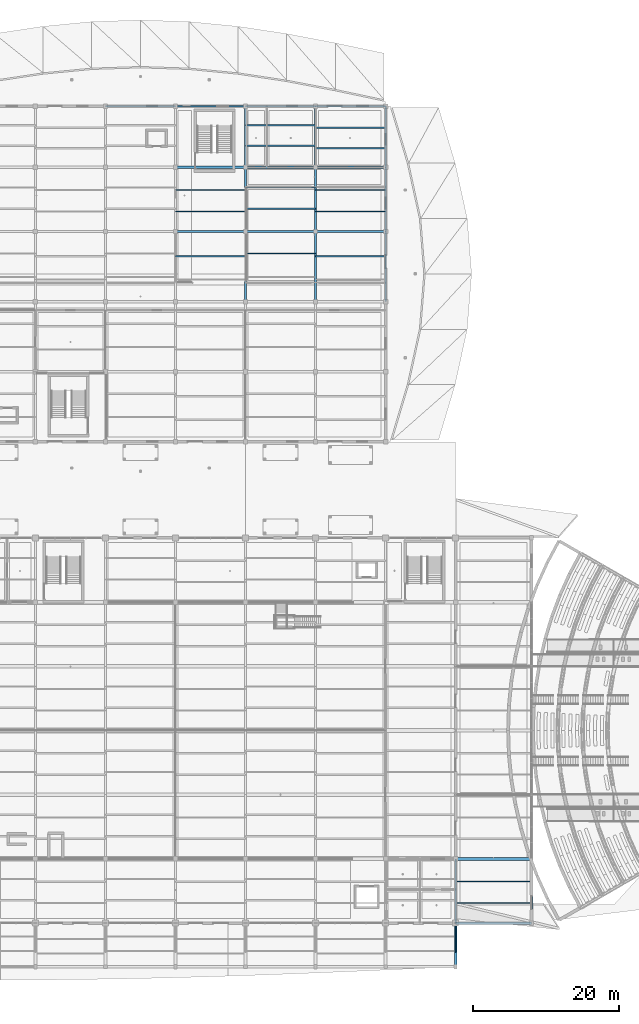
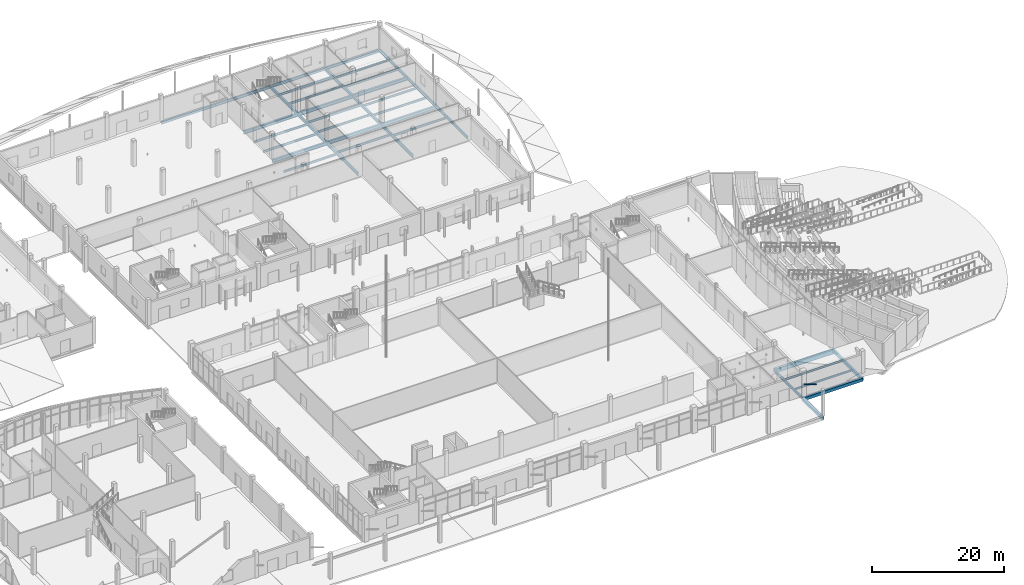
# One storey, part 57 of 116: 39 beams, 1 member.
"""IFC4 building model written with IfcOpenShell, lengths in metres."""

from ifc_helpers import new_model, si_unit, direction, frame, origin, origin_2d, place, context, subcontext, project, spatial, rectangle, hollow_circle, i_section, extrude, material, material_profile, profile_set, type_object, element, save


model = new_model("IFC4")

# Units and contexts
model_context = context("Model", 3, precision=1e-05, world=origin(), true_north=direction((0.0, 1.0)))
body_context = subcontext(model_context, "Body", "Model", "MODEL_VIEW")
ifc_project = project(units=[si_unit("LENGTHUNIT", "METRE"), si_unit("AREAUNIT", "SQUARE_METRE"), si_unit("VOLUMEUNIT", "CUBIC_METRE"), si_unit("PLANEANGLEUNIT", "RADIAN"), si_unit("MASSUNIT", "GRAM", prefix="KILO")], contexts=[model_context])

# Site, building, storey
site_placement = place(None, origin())
site = spatial("IfcSite", under=ifc_project, at=site_placement, CompositionType="ELEMENT")
building_placement = place(site_placement, origin())
building = spatial("IfcBuilding", under=site, at=building_placement, Name="Chalmorin Arch Market", CompositionType="ELEMENT")
storey_placement = place(building_placement, origin())
storey = spatial("IfcBuildingStorey", under=building, at=storey_placement, Name="L00", CompositionType="ELEMENT", Elevation=0.0)

# Beam
ifc_material_1 = material(Name="Concrete C40/50", Category="concrete")
ifc_material_profile_1 = material_profile(ifc_material_1, rectangle(XDim=0.449951171875, YDim=0.75, at=origin_2d()), Name="RC450X750")
ifc_profile_set_1 = profile_set([ifc_material_profile_1], Name="Concrete C40/50")
beam_type_1 = type_object("IfcBeamType", Name="BasementConcreteGirder-450x750", PredefinedType="BEAM", material=ifc_profile_set_1)
beam_1_placement = place(storey_placement, frame((124.800048828125, 14.800048828125, -0.72705078125), z_axis=(1.0, 0.0, 0.0), x_axis=(0.0, 1.0, 0.0)))
element("IfcBeam", 1, at=beam_1_placement, inside=storey, type_object=beam_type_1, Name="BG-RC2-0522", PredefinedType="BEAM", context=body_context, shape_type="SweptSolid", body=[
    extrude(rectangle(XDim=0.449951171875, YDim=0.75, at=origin_2d()), origin(), (0.0, 0.0, 1.0), 10.39990234375),
])

# Member
ifc_material_2 = material(Name="Steel A500 Grade C", Category="steel")
ifc_material_profile_2 = material_profile(ifc_material_2, hollow_circle(Radius=0.109619140625, WallThickness=0.00830078125, at=origin_2d()), Name="CHS219X8")
ifc_profile_set_2 = profile_set([ifc_material_profile_2], Name="Steel A500 Grade C")
member_type = type_object("IfcMemberType", Name="CanopyRakingStrut-CHS219", PredefinedType="STRUT", material=ifc_profile_set_2)
member_placement = place(storey_placement, frame((124.800048828125, 6.0, 2.10009765625), z_axis=(0.0, -0.852698951307, 0.522402621012), x_axis=(1.0, 0.0, 0.0)))
element("IfcMember", 2, at=member_placement, inside=storey, type_object=member_type, Name="ST-CH219-0014", PredefinedType="STRUT", context=body_context, shape_type="SweptSolid", body=[
    extrude(hollow_circle(Radius=0.109619140625, WallThickness=0.00830078125, at=origin_2d()), origin(), (0.0, 0.0, 1.0), 4.63232421875),
])

# Beams
ifc_material_3 = material(Name="Steel A992 Grade 50", Category="steel")
ifc_material_profile_3 = material_profile(ifc_material_3, i_section(OverallWidth=0.208984375, OverallDepth=0.532958984375, WebThickness=0.01025390625, FlangeThickness=0.015625, FilletRadius=0.02197265625, at=origin_2d()), Name="W21X62")
ifc_profile_set_3 = profile_set([ifc_material_profile_3], Name="Steel A992 Grade 50")
beam_type_2 = type_object("IfcBeamType", Name="PerimeterSpandrelBeam-W21X62", PredefinedType="SPANDREL", material=ifc_profile_set_3)
beam_2_placement = place(storey_placement, frame((124.800048828125, 6.0, -0.618408203125), z_axis=(0.0, 1.0, 0.0), x_axis=(-1.0, 0.0, 0.0)))
element("IfcBeam", 3, at=beam_2_placement, inside=storey, type_object=beam_type_2, Name="SP-W21-0100", PredefinedType="SPANDREL", context=body_context, shape_type="SweptSolid", body=[
    extrude(i_section(OverallWidth=0.208984375, OverallDepth=0.532958984375, WebThickness=0.01025390625, FlangeThickness=0.015625, FilletRadius=0.02197265625, at=origin_2d()), origin(), (0.0, 0.0, 1.0), 8.800048828125),
])
beam_3_placement = place(storey_placement, frame((76.800048828125, 118.0, -0.548583984375), z_axis=(1.0, 0.0, 0.0), x_axis=(0.0, 1.0, 0.0)))
element("IfcBeam", 4, at=beam_3_placement, inside=storey, type_object=beam_type_2, Name="SP-W21-0422", PredefinedType="SPANDREL", context=body_context, shape_type="SweptSolid", body=[
    extrude(i_section(OverallWidth=0.208984375, OverallDepth=0.532958984375, WebThickness=0.01025390625, FlangeThickness=0.015625, FilletRadius=0.02197265625, at=origin_2d()), origin(), (0.0, 0.0, 1.0), 9.599853515625),
])
for number, where, z_axis, x_axis, name in (
    (5, (86.39990234375, 118.0, -0.548583984375), (1.0, 0.0, 0.0), (0.0, 1.0, 0.0), "SP-W21-0433"),
    (6, (96.0, 118.0, -0.548583984375), (1.0, 0.0, 0.0), (0.0, 1.0, 0.0), "SP-W21-0444"),
    (7, (115.199951171875, 91.199951171875, -0.548583984375), (0.0, 1.0, 0.0), (-1.0, 0.0, 0.0), "SP-W21-0452"),
):
    element("IfcBeam", number, at=place(storey_placement, frame(where, z_axis=z_axis, x_axis=x_axis)), inside=storey, type_object=beam_type_2, Name=name, PredefinedType="SPANDREL", context=body_context, shape_type="SweptSolid", body=[
        extrude(i_section(OverallWidth=0.208984375, OverallDepth=0.532958984375, WebThickness=0.01025390625, FlangeThickness=0.015625, FilletRadius=0.02197265625, at=origin_2d()), origin(), (0.0, 0.0, 1.0), 9.60009765625),
    ])
beam_4_placement = place(storey_placement, frame((115.199951171875, 100.800048828125, -0.548583984375), z_axis=(0.0, 1.0, 0.0), x_axis=(-1.0, 0.0, 0.0)))
element("IfcBeam", 8, at=beam_4_placement, inside=storey, type_object=beam_type_2, Name="SP-W21-0454", PredefinedType="SPANDREL", context=body_context, shape_type="SweptSolid", body=[
    extrude(i_section(OverallWidth=0.208984375, OverallDepth=0.532958984375, WebThickness=0.01025390625, FlangeThickness=0.015625, FilletRadius=0.02197265625, at=origin_2d()), origin(), (0.0, 0.0, 1.0), 8.800048828125),
])
beam_5_placement = place(storey_placement, frame((105.60009765625, 118.0, -0.548583984375), z_axis=(1.0, 0.0, 0.0), x_axis=(0.0, 1.0, 0.0)))
element("IfcBeam", 9, at=beam_5_placement, inside=storey, type_object=beam_type_2, Name="SP-W21-0455", PredefinedType="SPANDREL", context=body_context, shape_type="SweptSolid", body=[
    extrude(i_section(OverallWidth=0.208984375, OverallDepth=0.532958984375, WebThickness=0.01025390625, FlangeThickness=0.015625, FilletRadius=0.02197265625, at=origin_2d()), origin(), (0.0, 0.0, 1.0), 9.599853515625),
])
beam_6_placement = place(storey_placement, frame((115.199951171875, 109.60009765625, -0.548583984375), z_axis=(0.0, 1.0, 0.0), x_axis=(-1.0, 0.0, 0.0)))
element("IfcBeam", 10, at=beam_6_placement, inside=storey, type_object=beam_type_2, Name="SP-W21-0456", PredefinedType="SPANDREL", context=body_context, shape_type="SweptSolid", body=[
    extrude(i_section(OverallWidth=0.208984375, OverallDepth=0.532958984375, WebThickness=0.01025390625, FlangeThickness=0.015625, FilletRadius=0.02197265625, at=origin_2d()), origin(), (0.0, 0.0, 1.0), 8.39990234375),
])
ifc_material_profile_4 = material_profile(ifc_material_3, i_section(OverallWidth=0.323974609375, OverallDepth=0.611083984375, WebThickness=0.0126953125, FlangeThickness=0.01904296875, FilletRadius=0.02392578125, at=origin_2d()), Name="W24X104")
ifc_profile_set_4 = profile_set([ifc_material_profile_4], Name="Steel A992 Grade 50")
beam_type_3 = type_object("IfcBeamType", Name="PrimarySteelGirder-W24X104", PredefinedType="BEAM", material=ifc_profile_set_4)
for number, where, z_axis, x_axis, name in (
    (11, (86.39990234375, 100.800048828125, -0.58740234375), (1.0, 0.0, 0.0), (0.0, 1.0, 0.0), "BG-W24A-0429"),
    (12, (86.39990234375, 109.60009765625, -0.58740234375), (1.0, 0.0, 0.0), (0.0, 1.0, 0.0), "BG-W24A-0431"),
    (13, (96.0, 100.800048828125, -0.58740234375), (1.0, 0.0, 0.0), (0.0, 1.0, 0.0), "BG-W24A-0440"),
    (14, (96.0, 109.60009765625, -0.58740234375), (1.0, 0.0, 0.0), (0.0, 1.0, 0.0), "BG-W24A-0442"),
):
    element("IfcBeam", number, at=place(storey_placement, frame(where, z_axis=z_axis, x_axis=x_axis)), inside=storey, type_object=beam_type_3, Name=name, PredefinedType="BEAM", context=body_context, shape_type="SweptSolid", body=[
        extrude(i_section(OverallWidth=0.323974609375, OverallDepth=0.611083984375, WebThickness=0.0126953125, FlangeThickness=0.01904296875, FilletRadius=0.02392578125, at=origin_2d()), origin(), (0.0, 0.0, 1.0), 9.60009765625),
    ])
for number, where, z_axis, x_axis, name in (
    (15, (105.60009765625, 100.800048828125, -0.58740234375), (1.0, 0.0, 0.0), (0.0, 1.0, 0.0), "BG-W24A-0451"),
    (16, (105.60009765625, 109.60009765625, -0.58740234375), (1.0, 0.0, 0.0), (0.0, 1.0, 0.0), "BG-W24A-0453"),
):
    element("IfcBeam", number, at=place(storey_placement, frame(where, z_axis=z_axis, x_axis=x_axis)), inside=storey, type_object=beam_type_3, Name=name, PredefinedType="BEAM", context=body_context, shape_type="SweptSolid", body=[
        extrude(i_section(OverallWidth=0.323974609375, OverallDepth=0.611083984375, WebThickness=0.0126953125, FlangeThickness=0.01904296875, FilletRadius=0.02392578125, at=origin_2d()), origin(), (0.0, 0.0, 1.0), 9.599853515625),
    ])
ifc_material_profile_5 = material_profile(ifc_material_3, i_section(OverallWidth=0.22802734375, OverallDepth=0.60791015625, WebThickness=0.01123046875, FlangeThickness=0.017333984375, FilletRadius=0.02392578125, at=origin_2d()), Name="W24X76")
ifc_profile_set_5 = profile_set([ifc_material_profile_5], Name="Steel A992 Grade 50")
beam_type_4 = type_object("IfcBeamType", Name="PrimarySteelGirder-W24X76", PredefinedType="BEAM", material=ifc_profile_set_5)
beam_7_placement = place(storey_placement, frame((96.0, 91.199951171875, -0.5859375), z_axis=(0.0, 1.0, 0.0), x_axis=(-1.0, 0.0, 0.0)))
element("IfcBeam", 17, at=beam_7_placement, inside=storey, type_object=beam_type_4, Name="BG-W24B-0430", PredefinedType="BEAM", context=body_context, shape_type="SweptSolid", body=[
    extrude(i_section(OverallWidth=0.22802734375, OverallDepth=0.60791015625, WebThickness=0.01123046875, FlangeThickness=0.017333984375, FilletRadius=0.02392578125, at=origin_2d()), origin(), (0.0, 0.0, 1.0), 9.60009765625),
])
beam_8_placement = place(storey_placement, frame((96.0, 100.800048828125, -0.5859375), z_axis=(0.0, 1.0, 0.0), x_axis=(-1.0, 0.0, 0.0)))
element("IfcBeam", 18, at=beam_8_placement, inside=storey, type_object=beam_type_4, Name="BG-W24B-0432", PredefinedType="BEAM", context=body_context, shape_type="SweptSolid", body=[
    extrude(i_section(OverallWidth=0.22802734375, OverallDepth=0.60791015625, WebThickness=0.01123046875, FlangeThickness=0.017333984375, FilletRadius=0.02392578125, at=origin_2d()), origin(), (0.0, 0.0, 1.0), 8.800048828125),
])
beam_9_placement = place(storey_placement, frame((96.0, 109.60009765625, -0.5859375), z_axis=(0.0, 1.0, 0.0), x_axis=(-1.0, 0.0, 0.0)))
element("IfcBeam", 19, at=beam_9_placement, inside=storey, type_object=beam_type_4, Name="BG-W24B-0434", PredefinedType="BEAM", context=body_context, shape_type="SweptSolid", body=[
    extrude(i_section(OverallWidth=0.22802734375, OverallDepth=0.60791015625, WebThickness=0.01123046875, FlangeThickness=0.017333984375, FilletRadius=0.02392578125, at=origin_2d()), origin(), (0.0, 0.0, 1.0), 8.39990234375),
])
beam_10_placement = place(storey_placement, frame((105.60009765625, 91.199951171875, -0.5859375), z_axis=(0.0, 1.0, 0.0), x_axis=(-1.0, 0.0, 0.0)))
element("IfcBeam", 20, at=beam_10_placement, inside=storey, type_object=beam_type_4, Name="BG-W24B-0441", PredefinedType="BEAM", context=body_context, shape_type="SweptSolid", body=[
    extrude(i_section(OverallWidth=0.22802734375, OverallDepth=0.60791015625, WebThickness=0.01123046875, FlangeThickness=0.017333984375, FilletRadius=0.02392578125, at=origin_2d()), origin(), (0.0, 0.0, 1.0), 9.60009765625),
])
beam_11_placement = place(storey_placement, frame((105.60009765625, 100.800048828125, -0.5859375), z_axis=(0.0, 1.0, 0.0), x_axis=(-1.0, 0.0, 0.0)))
element("IfcBeam", 21, at=beam_11_placement, inside=storey, type_object=beam_type_4, Name="BG-W24B-0443", PredefinedType="BEAM", context=body_context, shape_type="SweptSolid", body=[
    extrude(i_section(OverallWidth=0.22802734375, OverallDepth=0.60791015625, WebThickness=0.01123046875, FlangeThickness=0.017333984375, FilletRadius=0.02392578125, at=origin_2d()), origin(), (0.0, 0.0, 1.0), 8.800048828125),
])
beam_12_placement = place(storey_placement, frame((105.60009765625, 109.60009765625, -0.5859375), z_axis=(0.0, 1.0, 0.0), x_axis=(-1.0, 0.0, 0.0)))
element("IfcBeam", 22, at=beam_12_placement, inside=storey, type_object=beam_type_4, Name="BG-W24B-0445", PredefinedType="BEAM", context=body_context, shape_type="SweptSolid", body=[
    extrude(i_section(OverallWidth=0.22802734375, OverallDepth=0.60791015625, WebThickness=0.01123046875, FlangeThickness=0.017333984375, FilletRadius=0.02392578125, at=origin_2d()), origin(), (0.0, 0.0, 1.0), 8.39990234375),
])
ifc_material_profile_6 = material_profile(ifc_material_3, i_section(OverallWidth=0.1708984375, OverallDepth=0.35107421875, WebThickness=0.0068359375, FlangeThickness=0.009765625, FilletRadius=0.014892578125, at=origin_2d()), Name="W14X30")
ifc_profile_set_6 = profile_set([ifc_material_profile_6], Name="Steel A992 Grade 50")
beam_type_5 = type_object("IfcBeamType", Name="SecondaryFloorJoist-W14X30", PredefinedType="JOIST", material=ifc_profile_set_6)
for number, where, z_axis, x_axis, name in (
    (23, (124.800048828125, 8.75341796875, -0.527587890625), (1.0, 0.0, 0.0), (0.0, 1.0, 0.0), "BJ-W14-0534"),
    (24, (124.800048828125, 11.686767578125, -0.527587890625), (1.0, 0.0, 0.0), (0.0, 1.0, 0.0), "BJ-W14-0535"),
):
    element("IfcBeam", number, at=place(storey_placement, frame(where, z_axis=z_axis, x_axis=x_axis)), inside=storey, type_object=beam_type_5, Name=name, PredefinedType="JOIST", context=body_context, shape_type="SweptSolid", body=[
        extrude(i_section(OverallWidth=0.1708984375, OverallDepth=0.35107421875, WebThickness=0.0068359375, FlangeThickness=0.009765625, FilletRadius=0.014892578125, at=origin_2d()), origin(), (0.0, 0.0, 1.0), 10.39990234375),
    ])
ifc_material_profile_7 = material_profile(ifc_material_3, i_section(OverallWidth=0.177978515625, OverallDepth=0.403076171875, WebThickness=0.007568359375, FlangeThickness=0.010986328125, FilletRadius=0.01806640625, at=origin_2d()), Name="W16X36")
ifc_profile_set_7 = profile_set([ifc_material_profile_7], Name="Steel A992 Grade 50")
beam_type_6 = type_object("IfcBeamType", Name="SecondaryFloorJoist-W16X36", PredefinedType="JOIST", material=ifc_profile_set_7)
for number, where, z_axis, x_axis, name in (
    (25, (86.39990234375, 97.419921875, -0.4833984375), (1.0, 0.0, 0.0), (0.0, 1.0, 0.0), "BJ-W16B-0498"),
    (26, (86.39990234375, 103.55322265625, -0.4833984375), (1.0, 0.0, 0.0), (0.0, 1.0, 0.0), "BJ-W16B-0499"),
    (27, (86.39990234375, 106.48681640625, -0.4833984375), (1.0, 0.0, 0.0), (0.0, 1.0, 0.0), "BJ-W16B-0500"),
    (28, (96.0, 97.780029296875, -0.4833984375), (1.0, 0.0, 0.0), (0.0, 1.0, 0.0), "BJ-W16B-0506"),
    (29, (96.0, 103.913330078125, -0.4833984375), (1.0, 0.0, 0.0), (0.0, 1.0, 0.0), "BJ-W16B-0507"),
    (30, (96.0, 106.8466796875, -0.4833984375), (1.0, 0.0, 0.0), (0.0, 1.0, 0.0), "BJ-W16B-0508"),
    (31, (96.0, 112.580078125, -0.4833984375), (1.0, 0.0, 0.0), (0.0, 1.0, 0.0), "BJ-W16B-0509"),
    (32, (96.0, 115.3798828125, -0.4833984375), (1.0, 0.0, 0.0), (0.0, 1.0, 0.0), "BJ-W16B-0510"),
):
    element("IfcBeam", number, at=place(storey_placement, frame(where, z_axis=z_axis, x_axis=x_axis)), inside=storey, type_object=beam_type_6, Name=name, PredefinedType="JOIST", context=body_context, shape_type="SweptSolid", body=[
        extrude(i_section(OverallWidth=0.177978515625, OverallDepth=0.403076171875, WebThickness=0.007568359375, FlangeThickness=0.010986328125, FilletRadius=0.01806640625, at=origin_2d()), origin(), (0.0, 0.0, 1.0), 9.60009765625),
    ])
for number, where, z_axis, x_axis, name in (
    (33, (105.60009765625, 97.419921875, -0.4833984375), (1.0, 0.0, 0.0), (0.0, 1.0, 0.0), "BJ-W16B-0516"),
    (34, (105.60009765625, 103.55322265625, -0.4833984375), (1.0, 0.0, 0.0), (0.0, 1.0, 0.0), "BJ-W16B-0517"),
    (35, (105.60009765625, 106.48681640625, -0.4833984375), (1.0, 0.0, 0.0), (0.0, 1.0, 0.0), "BJ-W16B-0518"),
    (36, (105.60009765625, 112.219970703125, -0.4833984375), (1.0, 0.0, 0.0), (0.0, 1.0, 0.0), "BJ-W16B-0519"),
    (37, (105.60009765625, 115.02001953125, -0.4833984375), (1.0, 0.0, 0.0), (0.0, 1.0, 0.0), "BJ-W16B-0520"),
):
    element("IfcBeam", number, at=place(storey_placement, frame(where, z_axis=z_axis, x_axis=x_axis)), inside=storey, type_object=beam_type_6, Name=name, PredefinedType="JOIST", context=body_context, shape_type="SweptSolid", body=[
        extrude(i_section(OverallWidth=0.177978515625, OverallDepth=0.403076171875, WebThickness=0.007568359375, FlangeThickness=0.010986328125, FilletRadius=0.01806640625, at=origin_2d()), origin(), (0.0, 0.0, 1.0), 9.599853515625),
    ])
ifc_material_profile_8 = material_profile(ifc_material_1, rectangle(XDim=0.35009765625, YDim=0.550048828125, at=origin_2d()), Name="RC350X550")
ifc_profile_set_8 = profile_set([ifc_material_profile_8], Name="Concrete C40/50")
beam_type_7 = type_object("IfcBeamType", Name="TerraceEdgeBeam-350x550", PredefinedType="SPANDREL", material=ifc_profile_set_8)
beam_13_placement = place(storey_placement, frame((124.800048828125, 6.0, -0.626953125), z_axis=(1.0, 0.0, 0.0), x_axis=(0.0, 1.0, 0.0)))
element("IfcBeam", 38, at=beam_13_placement, inside=storey, type_object=beam_type_7, Name="SP-RC1-0521", PredefinedType="SPANDREL", context=body_context, shape_type="SweptSolid", body=[
    extrude(rectangle(XDim=0.35009765625, YDim=0.550048828125, at=origin_2d()), origin(), (0.0, 0.0, 1.0), 10.39990234375),
])
beam_14_placement = place(storey_placement, frame((135.199951171875, 6.0, -0.626953125), z_axis=(0.0, 1.0, 0.0), x_axis=(-1.0, 0.0, 0.0)))
element("IfcBeam", 39, at=beam_14_placement, inside=storey, type_object=beam_type_7, Name="SP-RC1-0523", PredefinedType="SPANDREL", context=body_context, shape_type="SweptSolid", body=[
    extrude(rectangle(XDim=0.35009765625, YDim=0.550048828125, at=origin_2d()), origin(), (0.0, 0.0, 1.0), 8.800048828125),
])
beam_15_placement = place(storey_placement, frame((124.800048828125, 0.0, -0.626953125), z_axis=(0.0, 1.0, 0.0), x_axis=(-1.0, 0.0, 0.0)))
element("IfcBeam", 40, at=beam_15_placement, inside=storey, type_object=beam_type_7, Name="SP-RC1-0573", PredefinedType="SPANDREL", context=body_context, shape_type="SweptSolid", body=[
    extrude(rectangle(XDim=0.35009765625, YDim=0.550048828125, at=origin_2d()), origin(), (0.0, 0.0, 1.0), 6.0),
])

save(model, "model.ifc")
